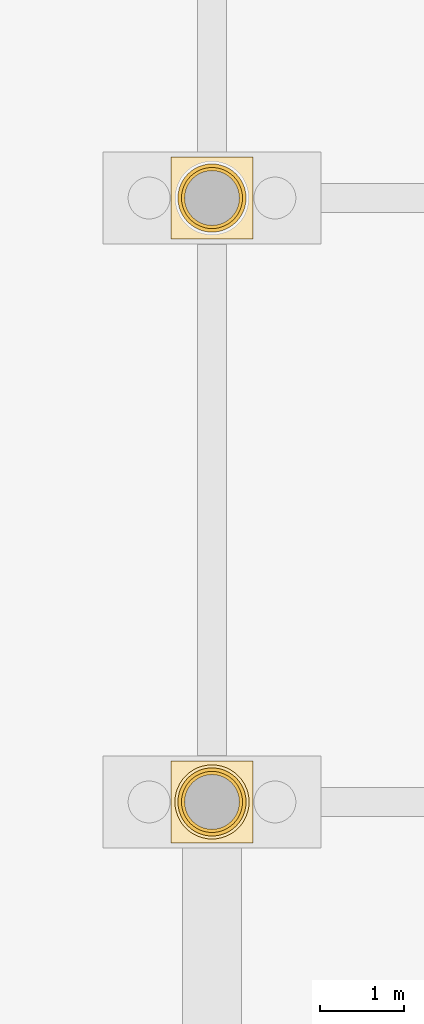
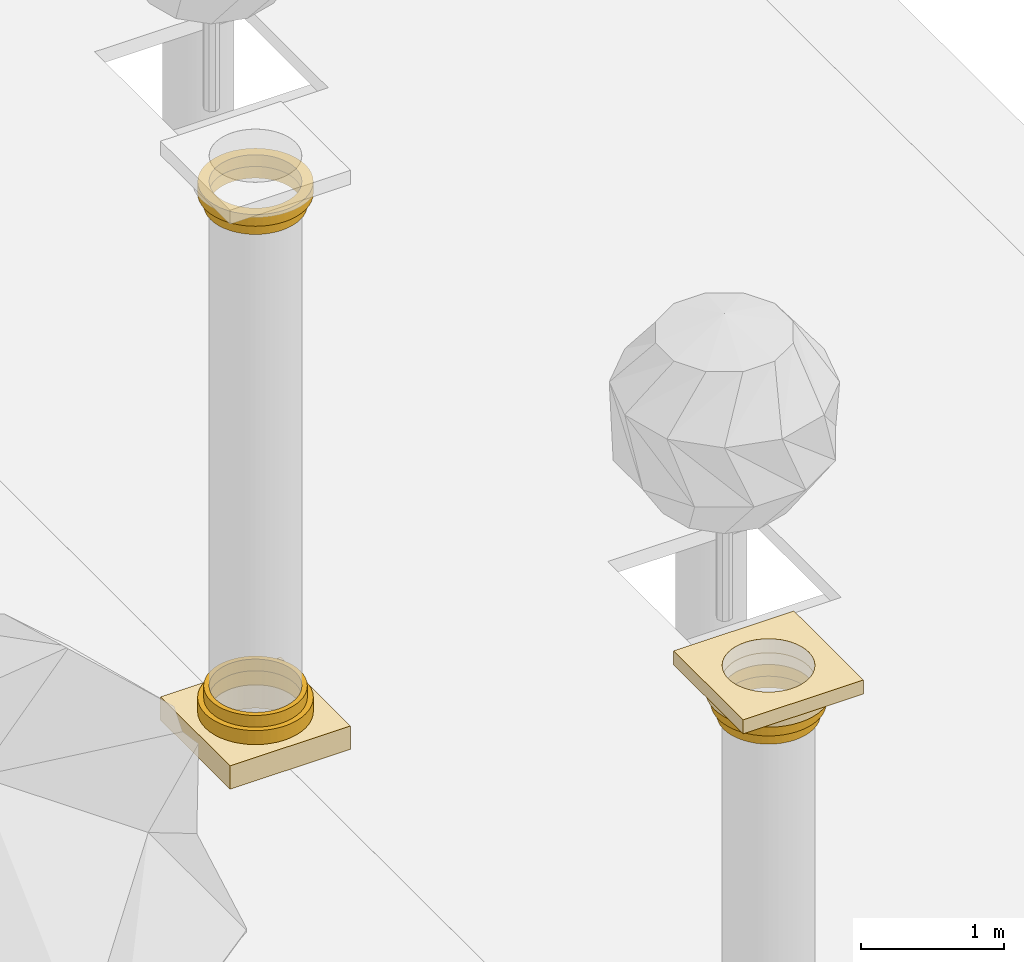
# One storey, part 64 of 80: 9 coverings.
"""IFC4 building model written with IfcOpenShell, lengths in metres."""

from ifc_helpers import new_model, si_unit, direction, frame, origin, place, context, subcontext, project, spatial, polyline, outline, extrude, material, type_object, element, save


model = new_model("IFC4")

# Units and contexts
model_context = context("Model", 3, precision=1e-05, world=origin(), true_north=direction((0.0, 1.0)))
body_context = subcontext(model_context, "Body", "Model", "MODEL_VIEW")
ifc_project = project(units=[si_unit("LENGTHUNIT", "METRE"), si_unit("AREAUNIT", "SQUARE_METRE"), si_unit("VOLUMEUNIT", "CUBIC_METRE"), si_unit("PLANEANGLEUNIT", "RADIAN"), si_unit("MASSUNIT", "GRAM", prefix="KILO")], contexts=[model_context])

# Site, building, storey
site_placement = place(None, origin())
site = spatial("IfcSite", under=ifc_project, at=site_placement, CompositionType="ELEMENT")
building_placement = place(site_placement, origin())
building = spatial("IfcBuilding", under=site, at=building_placement, Name="Ussher Court Research Institute", CompositionType="ELEMENT")
storey_placement = place(building_placement, origin())
storey = spatial("IfcBuildingStorey", under=building, at=storey_placement, Name="L00", CompositionType="ELEMENT", Elevation=0.0)

# Coverings
ifc_material_1 = material(Name="Limestone cornice", Category="masonry")
covering_type_1 = type_object("IfcCoveringType", Name="Column abacus 650 975x120", PredefinedType="CLADDING", material=ifc_material_1)
covering_1_placement = place(storey_placement, frame((0.0, 0.0, 4.840087890625)))
element("IfcCovering", 1, at=covering_1_placement, inside=storey, type_object=covering_type_1, Name="Column capital CC26", PredefinedType="CLADDING", context=body_context, shape_type="SweptSolid", body=[
    extrude(outline(polyline([(97.08740234375, 39.512451171875), (97.08740234375, 40.487548828125), (96.112548828125, 40.487548828125), (96.112548828125, 39.512451171875), (97.08740234375, 39.512451171875)]), holes=[polyline([(96.92578125, 40.0), (96.9228515625, 40.04248046875), (96.91455078125, 40.084228515625), (96.90087890625, 40.12451171875), (96.882080078125, 40.162841796875), (96.8583984375, 40.1982421875), (96.830322265625, 40.230224609375), (96.79833984375, 40.25830078125), (96.7626953125, 40.281982421875), (96.724609375, 40.30078125), (96.684326171875, 40.314697265625), (96.642578125, 40.322998046875), (96.60009765625, 40.32568359375), (96.5576171875, 40.322998046875), (96.515625, 40.314697265625), (96.475341796875, 40.30078125), (96.437255859375, 40.281982421875), (96.401611328125, 40.25830078125), (96.36962890625, 40.230224609375), (96.341552734375, 40.1982421875), (96.31787109375, 40.162841796875), (96.299072265625, 40.12451171875), (96.285400390625, 40.084228515625), (96.277099609375, 40.04248046875), (96.2744140625, 40.0), (96.277099609375, 39.95751953125), (96.285400390625, 39.915771484375), (96.299072265625, 39.87548828125), (96.31787109375, 39.837158203125), (96.341552734375, 39.8017578125), (96.36962890625, 39.769775390625), (96.401611328125, 39.74169921875), (96.437255859375, 39.718017578125), (96.475341796875, 39.69921875), (96.515625, 39.685302734375), (96.5576171875, 39.677001953125), (96.60009765625, 39.67431640625), (96.642578125, 39.677001953125), (96.684326171875, 39.685302734375), (96.724609375, 39.69921875), (96.7626953125, 39.718017578125), (96.79833984375, 39.74169921875), (96.830322265625, 39.769775390625), (96.8583984375, 39.8017578125), (96.882080078125, 39.837158203125), (96.90087890625, 39.87548828125), (96.91455078125, 39.915771484375), (96.9228515625, 39.95751953125), (96.92578125, 40.0)])]), origin(), (0.0, 0.0, 1.0), 0.119873046875),
])
ifc_material_2 = material(Name="Limestone cornice", Category="masonry")
covering_type_2 = type_object("IfcCoveringType", Name="Column base fillet 650 728x100", PredefinedType="CLADDING", material=ifc_material_2)
covering_2_placement = place(storey_placement, frame((0.0, 0.0, 0.320068359375)))
element("IfcCovering", 2, at=covering_2_placement, inside=storey, type_object=covering_type_2, Name="Column base CC22", PredefinedType="CLADDING", context=body_context, shape_type="SweptSolid", body=[
    extrude(outline(polyline([(96.964111328125, 47.199951171875), (96.9609375, 47.24755859375), (96.95166015625, 47.294189453125), (96.936279296875, 47.33935546875), (96.915283203125, 47.382080078125), (96.888916015625, 47.421630859375), (96.857421875, 47.45751953125), (96.821533203125, 47.48876953125), (96.781982421875, 47.51513671875), (96.7392578125, 47.536376953125), (96.694091796875, 47.551513671875), (96.6474609375, 47.560791015625), (96.60009765625, 47.56396484375), (96.552490234375, 47.560791015625), (96.505859375, 47.551513671875), (96.460693359375, 47.536376953125), (96.41796875, 47.51513671875), (96.37841796875, 47.48876953125), (96.342529296875, 47.45751953125), (96.311279296875, 47.421630859375), (96.284912109375, 47.382080078125), (96.263671875, 47.33935546875), (96.248291015625, 47.294189453125), (96.239013671875, 47.24755859375), (96.236083984375, 47.199951171875), (96.239013671875, 47.152587890625), (96.248291015625, 47.105712890625), (96.263671875, 47.060791015625), (96.284912109375, 47.01806640625), (96.311279296875, 46.978515625), (96.342529296875, 46.942626953125), (96.37841796875, 46.9111328125), (96.41796875, 46.884765625), (96.460693359375, 46.86376953125), (96.505859375, 46.848388671875), (96.552490234375, 46.839111328125), (96.60009765625, 46.8359375), (96.6474609375, 46.839111328125), (96.694091796875, 46.848388671875), (96.7392578125, 46.86376953125), (96.781982421875, 46.884765625), (96.821533203125, 46.9111328125), (96.857421875, 46.942626953125), (96.888916015625, 46.978515625), (96.915283203125, 47.01806640625), (96.936279296875, 47.060791015625), (96.95166015625, 47.105712890625), (96.9609375, 47.152587890625), (96.964111328125, 47.199951171875)]), holes=[polyline([(96.92578125, 47.199951171875), (96.9228515625, 47.242431640625), (96.91455078125, 47.2841796875), (96.90087890625, 47.32470703125), (96.882080078125, 47.36279296875), (96.8583984375, 47.398193359375), (96.830322265625, 47.430419921875), (96.79833984375, 47.45849609375), (96.7626953125, 47.482177734375), (96.724609375, 47.5009765625), (96.684326171875, 47.5146484375), (96.642578125, 47.52294921875), (96.60009765625, 47.525634765625), (96.5576171875, 47.52294921875), (96.515625, 47.5146484375), (96.475341796875, 47.5009765625), (96.437255859375, 47.482177734375), (96.401611328125, 47.45849609375), (96.36962890625, 47.430419921875), (96.341552734375, 47.398193359375), (96.31787109375, 47.36279296875), (96.299072265625, 47.32470703125), (96.285400390625, 47.2841796875), (96.277099609375, 47.242431640625), (96.2744140625, 47.199951171875), (96.277099609375, 47.157470703125), (96.285400390625, 47.11572265625), (96.299072265625, 47.075439453125), (96.31787109375, 47.037109375), (96.341552734375, 47.001708984375), (96.36962890625, 46.9697265625), (96.401611328125, 46.941650390625), (96.437255859375, 46.91796875), (96.475341796875, 46.899169921875), (96.515625, 46.885498046875), (96.5576171875, 46.877197265625), (96.60009765625, 46.874267578125), (96.642578125, 46.877197265625), (96.684326171875, 46.885498046875), (96.724609375, 46.899169921875), (96.7626953125, 46.91796875), (96.79833984375, 46.941650390625), (96.830322265625, 46.9697265625), (96.8583984375, 47.001708984375), (96.882080078125, 47.037109375), (96.90087890625, 47.075439453125), (96.91455078125, 47.11572265625), (96.9228515625, 47.157470703125), (96.92578125, 47.199951171875)])]), origin(), (0.0, 0.0, 1.0), 0.099853515625),
])
ifc_material_3 = material(Name="Limestone cornice", Category="masonry")
covering_type_3 = type_object("IfcCoveringType", Name="Column base torus 650 812x120", PredefinedType="CLADDING", material=ifc_material_3)
covering_3_placement = place(storey_placement, frame((0.0, 0.0, 0.199951171875)))
element("IfcCovering", 3, at=covering_3_placement, inside=storey, type_object=covering_type_3, Name="Column base CC21", PredefinedType="CLADDING", context=body_context, shape_type="SweptSolid", body=[
    extrude(outline(polyline([(97.006103515625, 47.199951171875), (97.002685546875, 47.2529296875), (96.992431640625, 47.30517578125), (96.975341796875, 47.35546875), (96.951904296875, 47.403076171875), (96.92236328125, 47.447265625), (96.88720703125, 47.4873046875), (96.847412109375, 47.522216796875), (96.802978515625, 47.5517578125), (96.75537109375, 47.5751953125), (96.705078125, 47.59228515625), (96.653076171875, 47.602783203125), (96.60009765625, 47.606201171875), (96.547119140625, 47.602783203125), (96.494873046875, 47.59228515625), (96.444580078125, 47.5751953125), (96.39697265625, 47.5517578125), (96.352783203125, 47.522216796875), (96.312744140625, 47.4873046875), (96.277587890625, 47.447265625), (96.248291015625, 47.403076171875), (96.224609375, 47.35546875), (96.20751953125, 47.30517578125), (96.197265625, 47.2529296875), (96.19384765625, 47.199951171875), (96.197265625, 47.14697265625), (96.20751953125, 47.094970703125), (96.224609375, 47.044677734375), (96.248291015625, 46.996826171875), (96.277587890625, 46.95263671875), (96.312744140625, 46.912841796875), (96.352783203125, 46.877685546875), (96.39697265625, 46.84814453125), (96.444580078125, 46.82470703125), (96.494873046875, 46.8076171875), (96.547119140625, 46.79736328125), (96.60009765625, 46.793701171875), (96.653076171875, 46.79736328125), (96.705078125, 46.8076171875), (96.75537109375, 46.82470703125), (96.802978515625, 46.84814453125), (96.847412109375, 46.877685546875), (96.88720703125, 46.912841796875), (96.92236328125, 46.95263671875), (96.951904296875, 46.996826171875), (96.975341796875, 47.044677734375), (96.992431640625, 47.094970703125), (97.002685546875, 47.14697265625), (97.006103515625, 47.199951171875)]), holes=[polyline([(96.92578125, 47.199951171875), (96.9228515625, 47.242431640625), (96.91455078125, 47.2841796875), (96.90087890625, 47.32470703125), (96.882080078125, 47.36279296875), (96.8583984375, 47.398193359375), (96.830322265625, 47.430419921875), (96.79833984375, 47.45849609375), (96.7626953125, 47.482177734375), (96.724609375, 47.5009765625), (96.684326171875, 47.5146484375), (96.642578125, 47.52294921875), (96.60009765625, 47.525634765625), (96.5576171875, 47.52294921875), (96.515625, 47.5146484375), (96.475341796875, 47.5009765625), (96.437255859375, 47.482177734375), (96.401611328125, 47.45849609375), (96.36962890625, 47.430419921875), (96.341552734375, 47.398193359375), (96.31787109375, 47.36279296875), (96.299072265625, 47.32470703125), (96.285400390625, 47.2841796875), (96.277099609375, 47.242431640625), (96.2744140625, 47.199951171875), (96.277099609375, 47.157470703125), (96.285400390625, 47.11572265625), (96.299072265625, 47.075439453125), (96.31787109375, 47.037109375), (96.341552734375, 47.001708984375), (96.36962890625, 46.9697265625), (96.401611328125, 46.941650390625), (96.437255859375, 46.91796875), (96.475341796875, 46.899169921875), (96.515625, 46.885498046875), (96.5576171875, 46.877197265625), (96.60009765625, 46.874267578125), (96.642578125, 46.877197265625), (96.684326171875, 46.885498046875), (96.724609375, 46.899169921875), (96.7626953125, 46.91796875), (96.79833984375, 46.941650390625), (96.830322265625, 46.9697265625), (96.8583984375, 47.001708984375), (96.882080078125, 47.037109375), (96.90087890625, 47.075439453125), (96.91455078125, 47.11572265625), (96.9228515625, 47.157470703125), (96.92578125, 47.199951171875)])]), origin(), (0.0, 0.0, 1.0), 0.1201171875),
])
ifc_material_4 = material(Name="Limestone cornice", Category="masonry")
covering_type_4 = type_object("IfcCoveringType", Name="Column capital echinus 650 812x100", PredefinedType="CLADDING", material=ifc_material_4)
covering_4_placement = place(storey_placement, frame((0.0, 0.0, 4.639892578125)))
element("IfcCovering", 4, at=covering_4_placement, inside=storey, type_object=covering_type_4, Name="Column capital CC24", PredefinedType="CLADDING", context=body_context, shape_type="SweptSolid", body=[
    extrude(outline(polyline([(97.006103515625, 40.0), (97.002685546875, 40.052978515625), (96.992431640625, 40.10498046875), (96.975341796875, 40.155517578125), (96.951904296875, 40.203125), (96.92236328125, 40.247314453125), (96.88720703125, 40.287109375), (96.847412109375, 40.322265625), (96.802978515625, 40.351806640625), (96.75537109375, 40.375244140625), (96.705078125, 40.392333984375), (96.653076171875, 40.402587890625), (96.60009765625, 40.40625), (96.547119140625, 40.402587890625), (96.494873046875, 40.392333984375), (96.444580078125, 40.375244140625), (96.39697265625, 40.351806640625), (96.352783203125, 40.322265625), (96.312744140625, 40.287109375), (96.277587890625, 40.247314453125), (96.248291015625, 40.203125), (96.224609375, 40.155517578125), (96.20751953125, 40.10498046875), (96.197265625, 40.052978515625), (96.19384765625, 40.0), (96.197265625, 39.947021484375), (96.20751953125, 39.89501953125), (96.224609375, 39.844482421875), (96.248291015625, 39.796875), (96.277587890625, 39.752685546875), (96.312744140625, 39.712890625), (96.352783203125, 39.677734375), (96.39697265625, 39.648193359375), (96.444580078125, 39.624755859375), (96.494873046875, 39.607666015625), (96.547119140625, 39.597412109375), (96.60009765625, 39.59375), (96.653076171875, 39.597412109375), (96.705078125, 39.607666015625), (96.75537109375, 39.624755859375), (96.802978515625, 39.648193359375), (96.847412109375, 39.677734375), (96.88720703125, 39.712890625), (96.92236328125, 39.752685546875), (96.951904296875, 39.796875), (96.975341796875, 39.844482421875), (96.992431640625, 39.89501953125), (97.002685546875, 39.947021484375), (97.006103515625, 40.0)]), holes=[polyline([(96.92578125, 40.0), (96.9228515625, 40.04248046875), (96.91455078125, 40.084228515625), (96.90087890625, 40.12451171875), (96.882080078125, 40.162841796875), (96.8583984375, 40.1982421875), (96.830322265625, 40.230224609375), (96.79833984375, 40.25830078125), (96.7626953125, 40.281982421875), (96.724609375, 40.30078125), (96.684326171875, 40.314697265625), (96.642578125, 40.322998046875), (96.60009765625, 40.32568359375), (96.5576171875, 40.322998046875), (96.515625, 40.314697265625), (96.475341796875, 40.30078125), (96.437255859375, 40.281982421875), (96.401611328125, 40.25830078125), (96.36962890625, 40.230224609375), (96.341552734375, 40.1982421875), (96.31787109375, 40.162841796875), (96.299072265625, 40.12451171875), (96.285400390625, 40.084228515625), (96.277099609375, 40.04248046875), (96.2744140625, 40.0), (96.277099609375, 39.95751953125), (96.285400390625, 39.915771484375), (96.299072265625, 39.87548828125), (96.31787109375, 39.837158203125), (96.341552734375, 39.8017578125), (96.36962890625, 39.769775390625), (96.401611328125, 39.74169921875), (96.437255859375, 39.718017578125), (96.475341796875, 39.69921875), (96.515625, 39.685302734375), (96.5576171875, 39.677001953125), (96.60009765625, 39.67431640625), (96.642578125, 39.677001953125), (96.684326171875, 39.685302734375), (96.724609375, 39.69921875), (96.7626953125, 39.718017578125), (96.79833984375, 39.74169921875), (96.830322265625, 39.769775390625), (96.8583984375, 39.8017578125), (96.882080078125, 39.837158203125), (96.90087890625, 39.87548828125), (96.91455078125, 39.915771484375), (96.9228515625, 39.95751953125), (96.92578125, 40.0)])]), origin(), (0.0, 0.0, 1.0), 0.10009765625),
])
covering_5_placement = place(storey_placement, frame((0.0, 0.0, 4.639892578125)))
element("IfcCovering", 5, at=covering_5_placement, inside=storey, type_object=covering_type_4, Name="Column capital CC24", PredefinedType="CLADDING", context=body_context, shape_type="SweptSolid", body=[
    extrude(outline(polyline([(97.006103515625, 47.199951171875), (97.002685546875, 47.2529296875), (96.992431640625, 47.30517578125), (96.975341796875, 47.35546875), (96.951904296875, 47.403076171875), (96.92236328125, 47.447265625), (96.88720703125, 47.4873046875), (96.847412109375, 47.522216796875), (96.802978515625, 47.5517578125), (96.75537109375, 47.5751953125), (96.705078125, 47.59228515625), (96.653076171875, 47.602783203125), (96.60009765625, 47.606201171875), (96.547119140625, 47.602783203125), (96.494873046875, 47.59228515625), (96.444580078125, 47.5751953125), (96.39697265625, 47.5517578125), (96.352783203125, 47.522216796875), (96.312744140625, 47.4873046875), (96.277587890625, 47.447265625), (96.248291015625, 47.403076171875), (96.224609375, 47.35546875), (96.20751953125, 47.30517578125), (96.197265625, 47.2529296875), (96.19384765625, 47.199951171875), (96.197265625, 47.14697265625), (96.20751953125, 47.094970703125), (96.224609375, 47.044677734375), (96.248291015625, 46.996826171875), (96.277587890625, 46.95263671875), (96.312744140625, 46.912841796875), (96.352783203125, 46.877685546875), (96.39697265625, 46.84814453125), (96.444580078125, 46.82470703125), (96.494873046875, 46.8076171875), (96.547119140625, 46.79736328125), (96.60009765625, 46.793701171875), (96.653076171875, 46.79736328125), (96.705078125, 46.8076171875), (96.75537109375, 46.82470703125), (96.802978515625, 46.84814453125), (96.847412109375, 46.877685546875), (96.88720703125, 46.912841796875), (96.92236328125, 46.95263671875), (96.951904296875, 46.996826171875), (96.975341796875, 47.044677734375), (96.992431640625, 47.094970703125), (97.002685546875, 47.14697265625), (97.006103515625, 47.199951171875)]), holes=[polyline([(96.92578125, 47.199951171875), (96.9228515625, 47.242431640625), (96.91455078125, 47.2841796875), (96.90087890625, 47.32470703125), (96.882080078125, 47.36279296875), (96.8583984375, 47.398193359375), (96.830322265625, 47.430419921875), (96.79833984375, 47.45849609375), (96.7626953125, 47.482177734375), (96.724609375, 47.5009765625), (96.684326171875, 47.5146484375), (96.642578125, 47.52294921875), (96.60009765625, 47.525634765625), (96.5576171875, 47.52294921875), (96.515625, 47.5146484375), (96.475341796875, 47.5009765625), (96.437255859375, 47.482177734375), (96.401611328125, 47.45849609375), (96.36962890625, 47.430419921875), (96.341552734375, 47.398193359375), (96.31787109375, 47.36279296875), (96.299072265625, 47.32470703125), (96.285400390625, 47.2841796875), (96.277099609375, 47.242431640625), (96.2744140625, 47.199951171875), (96.277099609375, 47.157470703125), (96.285400390625, 47.11572265625), (96.299072265625, 47.075439453125), (96.31787109375, 47.037109375), (96.341552734375, 47.001708984375), (96.36962890625, 46.9697265625), (96.401611328125, 46.941650390625), (96.437255859375, 46.91796875), (96.475341796875, 46.899169921875), (96.515625, 46.885498046875), (96.5576171875, 46.877197265625), (96.60009765625, 46.874267578125), (96.642578125, 46.877197265625), (96.684326171875, 46.885498046875), (96.724609375, 46.899169921875), (96.7626953125, 46.91796875), (96.79833984375, 46.941650390625), (96.830322265625, 46.9697265625), (96.8583984375, 47.001708984375), (96.882080078125, 47.037109375), (96.90087890625, 47.075439453125), (96.91455078125, 47.11572265625), (96.9228515625, 47.157470703125), (96.92578125, 47.199951171875)])]), origin(), (0.0, 0.0, 1.0), 0.10009765625),
])
ifc_material_5 = material(Name="Limestone cornice", Category="masonry")
covering_type_5 = type_object("IfcCoveringType", Name="Column capital neck 650 728x100", PredefinedType="CLADDING", material=ifc_material_5)
covering_6_placement = place(storey_placement, frame((0.0, 0.0, 4.5400390625)))
element("IfcCovering", 6, at=covering_6_placement, inside=storey, type_object=covering_type_5, Name="Column capital CC23", PredefinedType="CLADDING", context=body_context, shape_type="SweptSolid", body=[
    extrude(outline(polyline([(96.964111328125, 40.0), (96.9609375, 40.047607421875), (96.95166015625, 40.09423828125), (96.936279296875, 40.139404296875), (96.915283203125, 40.181884765625), (96.888916015625, 40.2216796875), (96.857421875, 40.25732421875), (96.821533203125, 40.288818359375), (96.781982421875, 40.315185546875), (96.7392578125, 40.336181640625), (96.694091796875, 40.3515625), (96.6474609375, 40.36083984375), (96.60009765625, 40.364013671875), (96.552490234375, 40.36083984375), (96.505859375, 40.3515625), (96.460693359375, 40.336181640625), (96.41796875, 40.315185546875), (96.37841796875, 40.288818359375), (96.342529296875, 40.25732421875), (96.311279296875, 40.2216796875), (96.284912109375, 40.181884765625), (96.263671875, 40.139404296875), (96.248291015625, 40.09423828125), (96.239013671875, 40.047607421875), (96.236083984375, 40.0), (96.239013671875, 39.952392578125), (96.248291015625, 39.90576171875), (96.263671875, 39.860595703125), (96.284912109375, 39.818115234375), (96.311279296875, 39.7783203125), (96.342529296875, 39.74267578125), (96.37841796875, 39.711181640625), (96.41796875, 39.684814453125), (96.460693359375, 39.663818359375), (96.505859375, 39.6484375), (96.552490234375, 39.63916015625), (96.60009765625, 39.635986328125), (96.6474609375, 39.63916015625), (96.694091796875, 39.6484375), (96.7392578125, 39.663818359375), (96.781982421875, 39.684814453125), (96.821533203125, 39.711181640625), (96.857421875, 39.74267578125), (96.888916015625, 39.7783203125), (96.915283203125, 39.818115234375), (96.936279296875, 39.860595703125), (96.95166015625, 39.90576171875), (96.9609375, 39.952392578125), (96.964111328125, 40.0)]), holes=[polyline([(96.92578125, 40.0), (96.9228515625, 40.04248046875), (96.91455078125, 40.084228515625), (96.90087890625, 40.12451171875), (96.882080078125, 40.162841796875), (96.8583984375, 40.1982421875), (96.830322265625, 40.230224609375), (96.79833984375, 40.25830078125), (96.7626953125, 40.281982421875), (96.724609375, 40.30078125), (96.684326171875, 40.314697265625), (96.642578125, 40.322998046875), (96.60009765625, 40.32568359375), (96.5576171875, 40.322998046875), (96.515625, 40.314697265625), (96.475341796875, 40.30078125), (96.437255859375, 40.281982421875), (96.401611328125, 40.25830078125), (96.36962890625, 40.230224609375), (96.341552734375, 40.1982421875), (96.31787109375, 40.162841796875), (96.299072265625, 40.12451171875), (96.285400390625, 40.084228515625), (96.277099609375, 40.04248046875), (96.2744140625, 40.0), (96.277099609375, 39.95751953125), (96.285400390625, 39.915771484375), (96.299072265625, 39.87548828125), (96.31787109375, 39.837158203125), (96.341552734375, 39.8017578125), (96.36962890625, 39.769775390625), (96.401611328125, 39.74169921875), (96.437255859375, 39.718017578125), (96.475341796875, 39.69921875), (96.515625, 39.685302734375), (96.5576171875, 39.677001953125), (96.60009765625, 39.67431640625), (96.642578125, 39.677001953125), (96.684326171875, 39.685302734375), (96.724609375, 39.69921875), (96.7626953125, 39.718017578125), (96.79833984375, 39.74169921875), (96.830322265625, 39.769775390625), (96.8583984375, 39.8017578125), (96.882080078125, 39.837158203125), (96.90087890625, 39.87548828125), (96.91455078125, 39.915771484375), (96.9228515625, 39.95751953125), (96.92578125, 40.0)])]), origin(), (0.0, 0.0, 1.0), 0.099853515625),
])
covering_7_placement = place(storey_placement, frame((0.0, 0.0, 4.5400390625)))
element("IfcCovering", 7, at=covering_7_placement, inside=storey, type_object=covering_type_5, Name="Column capital CC23", PredefinedType="CLADDING", context=body_context, shape_type="SweptSolid", body=[
    extrude(outline(polyline([(96.964111328125, 47.199951171875), (96.9609375, 47.24755859375), (96.95166015625, 47.294189453125), (96.936279296875, 47.33935546875), (96.915283203125, 47.382080078125), (96.888916015625, 47.421630859375), (96.857421875, 47.45751953125), (96.821533203125, 47.48876953125), (96.781982421875, 47.51513671875), (96.7392578125, 47.536376953125), (96.694091796875, 47.551513671875), (96.6474609375, 47.560791015625), (96.60009765625, 47.56396484375), (96.552490234375, 47.560791015625), (96.505859375, 47.551513671875), (96.460693359375, 47.536376953125), (96.41796875, 47.51513671875), (96.37841796875, 47.48876953125), (96.342529296875, 47.45751953125), (96.311279296875, 47.421630859375), (96.284912109375, 47.382080078125), (96.263671875, 47.33935546875), (96.248291015625, 47.294189453125), (96.239013671875, 47.24755859375), (96.236083984375, 47.199951171875), (96.239013671875, 47.152587890625), (96.248291015625, 47.105712890625), (96.263671875, 47.060791015625), (96.284912109375, 47.01806640625), (96.311279296875, 46.978515625), (96.342529296875, 46.942626953125), (96.37841796875, 46.9111328125), (96.41796875, 46.884765625), (96.460693359375, 46.86376953125), (96.505859375, 46.848388671875), (96.552490234375, 46.839111328125), (96.60009765625, 46.8359375), (96.6474609375, 46.839111328125), (96.694091796875, 46.848388671875), (96.7392578125, 46.86376953125), (96.781982421875, 46.884765625), (96.821533203125, 46.9111328125), (96.857421875, 46.942626953125), (96.888916015625, 46.978515625), (96.915283203125, 47.01806640625), (96.936279296875, 47.060791015625), (96.95166015625, 47.105712890625), (96.9609375, 47.152587890625), (96.964111328125, 47.199951171875)]), holes=[polyline([(96.92578125, 47.199951171875), (96.9228515625, 47.242431640625), (96.91455078125, 47.2841796875), (96.90087890625, 47.32470703125), (96.882080078125, 47.36279296875), (96.8583984375, 47.398193359375), (96.830322265625, 47.430419921875), (96.79833984375, 47.45849609375), (96.7626953125, 47.482177734375), (96.724609375, 47.5009765625), (96.684326171875, 47.5146484375), (96.642578125, 47.52294921875), (96.60009765625, 47.525634765625), (96.5576171875, 47.52294921875), (96.515625, 47.5146484375), (96.475341796875, 47.5009765625), (96.437255859375, 47.482177734375), (96.401611328125, 47.45849609375), (96.36962890625, 47.430419921875), (96.341552734375, 47.398193359375), (96.31787109375, 47.36279296875), (96.299072265625, 47.32470703125), (96.285400390625, 47.2841796875), (96.277099609375, 47.242431640625), (96.2744140625, 47.199951171875), (96.277099609375, 47.157470703125), (96.285400390625, 47.11572265625), (96.299072265625, 47.075439453125), (96.31787109375, 47.037109375), (96.341552734375, 47.001708984375), (96.36962890625, 46.9697265625), (96.401611328125, 46.941650390625), (96.437255859375, 46.91796875), (96.475341796875, 46.899169921875), (96.515625, 46.885498046875), (96.5576171875, 46.877197265625), (96.60009765625, 46.874267578125), (96.642578125, 46.877197265625), (96.684326171875, 46.885498046875), (96.724609375, 46.899169921875), (96.7626953125, 46.91796875), (96.79833984375, 46.941650390625), (96.830322265625, 46.9697265625), (96.8583984375, 47.001708984375), (96.882080078125, 47.037109375), (96.90087890625, 47.075439453125), (96.91455078125, 47.11572265625), (96.9228515625, 47.157470703125), (96.92578125, 47.199951171875)])]), origin(), (0.0, 0.0, 1.0), 0.099853515625),
])
ifc_material_6 = material(Name="Limestone cornice", Category="masonry")
covering_type_6 = type_object("IfcCoveringType", Name="Column capital ovolo 650 884x100", PredefinedType="CLADDING", material=ifc_material_6)
covering_8_placement = place(storey_placement, frame((0.0, 0.0, 4.739990234375)))
element("IfcCovering", 8, at=covering_8_placement, inside=storey, type_object=covering_type_6, Name="Column capital CC25", PredefinedType="CLADDING", context=body_context, shape_type="SweptSolid", body=[
    extrude(outline(polyline([(97.0419921875, 40.0), (97.0380859375, 40.0576171875), (97.02685546875, 40.114501953125), (97.00830078125, 40.169189453125), (96.98291015625, 40.220947265625), (96.95068359375, 40.26904296875), (96.91259765625, 40.3125), (96.869140625, 40.3505859375), (96.821044921875, 40.3828125), (96.76904296875, 40.408447265625), (96.71435546875, 40.427001953125), (96.65771484375, 40.438232421875), (96.60009765625, 40.44189453125), (96.542236328125, 40.438232421875), (96.485595703125, 40.427001953125), (96.430908203125, 40.408447265625), (96.37890625, 40.3828125), (96.330810546875, 40.3505859375), (96.28759765625, 40.3125), (96.249267578125, 40.26904296875), (96.21728515625, 40.220947265625), (96.191650390625, 40.169189453125), (96.173095703125, 40.114501953125), (96.161865234375, 40.0576171875), (96.157958984375, 40.0), (96.161865234375, 39.9423828125), (96.173095703125, 39.885498046875), (96.191650390625, 39.830810546875), (96.21728515625, 39.779052734375), (96.249267578125, 39.73095703125), (96.28759765625, 39.6875), (96.330810546875, 39.6494140625), (96.37890625, 39.6171875), (96.430908203125, 39.591552734375), (96.485595703125, 39.572998046875), (96.542236328125, 39.561767578125), (96.60009765625, 39.55810546875), (96.65771484375, 39.561767578125), (96.71435546875, 39.572998046875), (96.76904296875, 39.591552734375), (96.821044921875, 39.6171875), (96.869140625, 39.6494140625), (96.91259765625, 39.6875), (96.95068359375, 39.73095703125), (96.98291015625, 39.779052734375), (97.00830078125, 39.830810546875), (97.02685546875, 39.885498046875), (97.0380859375, 39.9423828125), (97.0419921875, 40.0)]), holes=[polyline([(96.92578125, 40.0), (96.9228515625, 40.04248046875), (96.91455078125, 40.084228515625), (96.90087890625, 40.12451171875), (96.882080078125, 40.162841796875), (96.8583984375, 40.1982421875), (96.830322265625, 40.230224609375), (96.79833984375, 40.25830078125), (96.7626953125, 40.281982421875), (96.724609375, 40.30078125), (96.684326171875, 40.314697265625), (96.642578125, 40.322998046875), (96.60009765625, 40.32568359375), (96.5576171875, 40.322998046875), (96.515625, 40.314697265625), (96.475341796875, 40.30078125), (96.437255859375, 40.281982421875), (96.401611328125, 40.25830078125), (96.36962890625, 40.230224609375), (96.341552734375, 40.1982421875), (96.31787109375, 40.162841796875), (96.299072265625, 40.12451171875), (96.285400390625, 40.084228515625), (96.277099609375, 40.04248046875), (96.2744140625, 40.0), (96.277099609375, 39.95751953125), (96.285400390625, 39.915771484375), (96.299072265625, 39.87548828125), (96.31787109375, 39.837158203125), (96.341552734375, 39.8017578125), (96.36962890625, 39.769775390625), (96.401611328125, 39.74169921875), (96.437255859375, 39.718017578125), (96.475341796875, 39.69921875), (96.515625, 39.685302734375), (96.5576171875, 39.677001953125), (96.60009765625, 39.67431640625), (96.642578125, 39.677001953125), (96.684326171875, 39.685302734375), (96.724609375, 39.69921875), (96.7626953125, 39.718017578125), (96.79833984375, 39.74169921875), (96.830322265625, 39.769775390625), (96.8583984375, 39.8017578125), (96.882080078125, 39.837158203125), (96.90087890625, 39.87548828125), (96.91455078125, 39.915771484375), (96.9228515625, 39.95751953125), (96.92578125, 40.0)])]), origin(), (0.0, 0.0, 1.0), 0.10009765625),
])
ifc_material_7 = material(Name="Limestone cornice", Category="masonry")
covering_type_7 = type_object("IfcCoveringType", Name="Column plinth 650 975x200", PredefinedType="CLADDING", material=ifc_material_7)
covering_9_placement = place(storey_placement, origin())
element("IfcCovering", 9, at=covering_9_placement, inside=storey, type_object=covering_type_7, Name="Column base CC20", PredefinedType="CLADDING", context=body_context, shape_type="SweptSolid", body=[
    extrude(outline(polyline([(97.08740234375, 46.71240234375), (97.08740234375, 47.6875), (96.112548828125, 47.6875), (96.112548828125, 46.71240234375), (97.08740234375, 46.71240234375)]), holes=[polyline([(96.92578125, 47.199951171875), (96.9228515625, 47.242431640625), (96.91455078125, 47.2841796875), (96.90087890625, 47.32470703125), (96.882080078125, 47.36279296875), (96.8583984375, 47.398193359375), (96.830322265625, 47.430419921875), (96.79833984375, 47.45849609375), (96.7626953125, 47.482177734375), (96.724609375, 47.5009765625), (96.684326171875, 47.5146484375), (96.642578125, 47.52294921875), (96.60009765625, 47.525634765625), (96.5576171875, 47.52294921875), (96.515625, 47.5146484375), (96.475341796875, 47.5009765625), (96.437255859375, 47.482177734375), (96.401611328125, 47.45849609375), (96.36962890625, 47.430419921875), (96.341552734375, 47.398193359375), (96.31787109375, 47.36279296875), (96.299072265625, 47.32470703125), (96.285400390625, 47.2841796875), (96.277099609375, 47.242431640625), (96.2744140625, 47.199951171875), (96.277099609375, 47.157470703125), (96.285400390625, 47.11572265625), (96.299072265625, 47.075439453125), (96.31787109375, 47.037109375), (96.341552734375, 47.001708984375), (96.36962890625, 46.9697265625), (96.401611328125, 46.941650390625), (96.437255859375, 46.91796875), (96.475341796875, 46.899169921875), (96.515625, 46.885498046875), (96.5576171875, 46.877197265625), (96.60009765625, 46.874267578125), (96.642578125, 46.877197265625), (96.684326171875, 46.885498046875), (96.724609375, 46.899169921875), (96.7626953125, 46.91796875), (96.79833984375, 46.941650390625), (96.830322265625, 46.9697265625), (96.8583984375, 47.001708984375), (96.882080078125, 47.037109375), (96.90087890625, 47.075439453125), (96.91455078125, 47.11572265625), (96.9228515625, 47.157470703125), (96.92578125, 47.199951171875)])]), origin(), (0.0, 0.0, 1.0), 0.199951171875),
])

save(model, "model.ifc")
